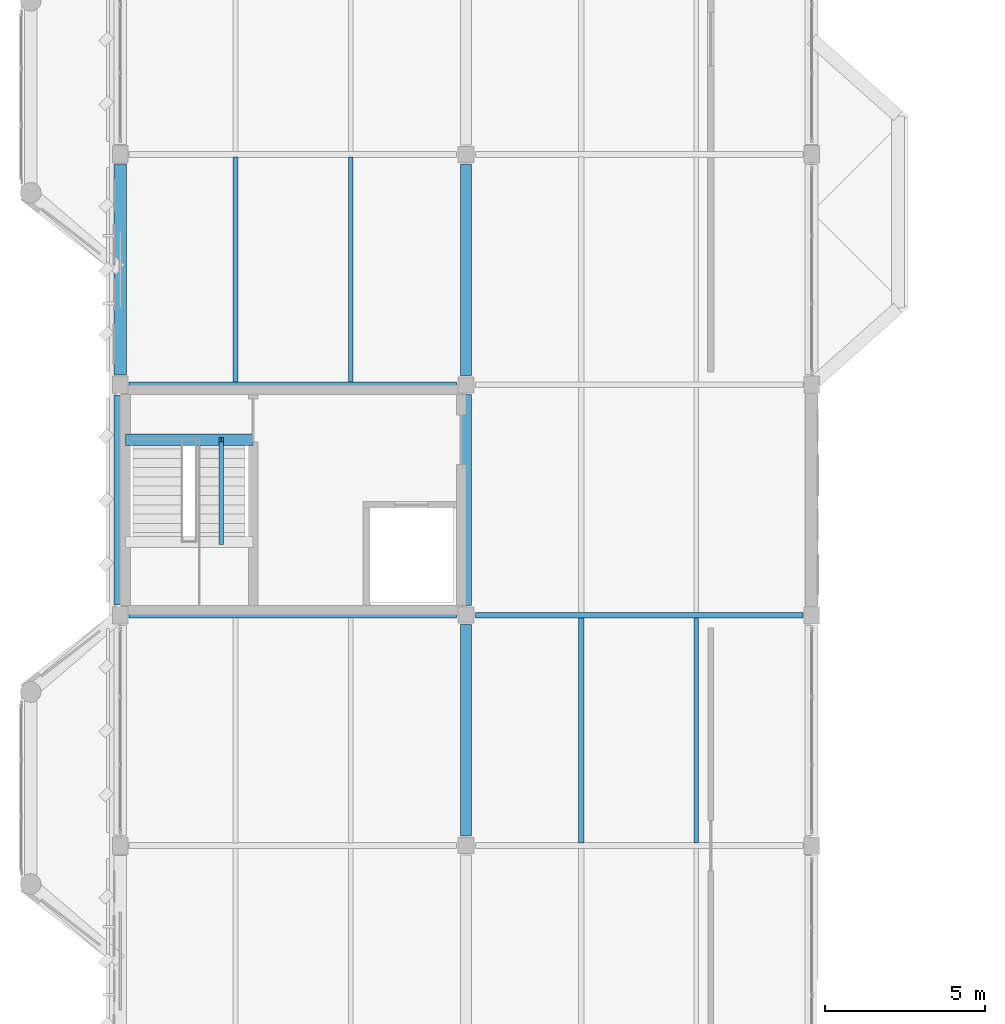
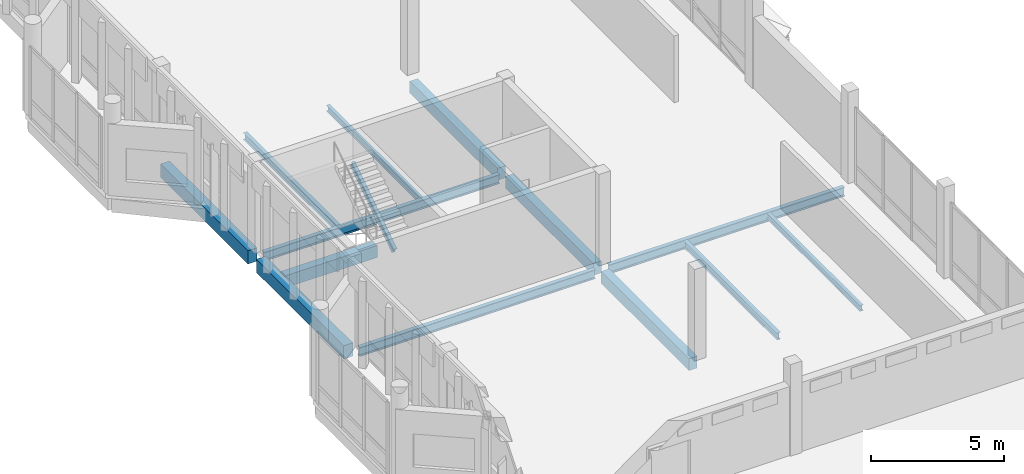
# One storey, part 9 of 72: 14 beams.
"""IFC4 building model written with IfcOpenShell, lengths in metres."""

from ifc_helpers import new_model, si_unit, direction, frame, origin, origin_2d, place, context, subcontext, project, spatial, rectangle, i_section, extrude, material, material_profile, profile_set, type_object, element, save


model = new_model("IFC4")

# Units and contexts
model_context = context("Model", 3, precision=1e-05, world=origin(), true_north=direction((0.0, 1.0)))
body_context = subcontext(model_context, "Body", "Model", "MODEL_VIEW")
ifc_project = project(units=[si_unit("LENGTHUNIT", "METRE"), si_unit("AREAUNIT", "SQUARE_METRE"), si_unit("VOLUMEUNIT", "CUBIC_METRE"), si_unit("PLANEANGLEUNIT", "RADIAN"), si_unit("MASSUNIT", "GRAM", prefix="KILO")], contexts=[model_context])

# Site, building, storey
site_placement = place(None, origin())
site = spatial("IfcSite", under=ifc_project, at=site_placement, CompositionType="ELEMENT")
building_placement = place(site_placement, origin())
building = spatial("IfcBuilding", under=site, at=building_placement, Name="Lusvemor Sports Hall", CompositionType="ELEMENT")
storey_placement = place(building_placement, frame((0.0, 0.0, 15.0)))
storey = spatial("IfcBuildingStorey", under=building, at=storey_placement, Name="L03", CompositionType="ELEMENT", Elevation=15.0)

# Beams
ifc_material_1 = material(Name="Concrete C40/50", Category="concrete")
ifc_material_profile_1 = material_profile(ifc_material_1, rectangle(XDim=0.35009765625, YDim=0.550048828125, at=origin_2d()), Name="RC350x550")
ifc_profile_set_1 = profile_set([ifc_material_profile_1], Name="Concrete C40/50")
beam_type_1 = type_object("IfcBeamType", Name="BEAM_RC_550", PredefinedType="BEAM", material=ifc_profile_set_1)
for number, where, z_axis, x_axis, name in (
    (1, (10.800048828125, 61.49609375, -0.514892578125), (0.0, 1.0, 0.0), (-1.0, 0.0, 0.0), "Beam L03 2:H-J"),
    (2, (10.800048828125, 68.696044921875, -0.514892578125), (0.0, 1.0, 0.0), (-1.0, 0.0, 0.0), "Beam L03 2:J-K"),
    (3, (10.800048828125, 75.89599609375, -0.514892578125), (0.0, 1.0, 0.0), (-1.0, 0.0, 0.0), "Beam L03 2:K-L"),
):
    element("IfcBeam", number, at=place(storey_placement, frame(where, z_axis=z_axis, x_axis=x_axis)), inside=storey, type_object=beam_type_1, Name=name, PredefinedType="BEAM", context=body_context, shape_type="SweptSolid", body=[
        extrude(rectangle(XDim=0.35009765625, YDim=0.550048828125, at=origin_2d()), origin(), (0.0, 0.0, 1.0), 6.60791015625),
    ])
beam_1_placement = place(storey_placement, frame((0.159912109375, 73.8798828125, -0.455078125), z_axis=(1.0, 0.0, 0.0), x_axis=(0.0, 1.0, 0.0)))
element("IfcBeam", 4, at=beam_1_placement, inside=storey, type_object=beam_type_1, Name="Stair STR-C3-L02 Top-Landing Beam", PredefinedType="BEAM", context=body_context, shape_type="SweptSolid", body=[
    extrude(rectangle(XDim=0.35009765625, YDim=0.550048828125, at=origin_2d()), origin(), (0.0, 0.0, 1.0), 3.97998046875),
])
ifc_material_2 = material(Name="Steel S355", Category="steel")
ifc_material_profile_2 = material_profile(ifc_material_2, i_section(OverallWidth=0.180908203125, OverallDepth=0.4169921875, WebThickness=0.010986328125, FlangeThickness=0.018310546875, FilletRadius=0.01611328125, at=origin_2d()), Name="W410x85.0")
ifc_profile_set_2 = profile_set([ifc_material_profile_2], Name="Steel S355")
beam_type_2 = type_object("IfcBeamType", Name="BEAM_ST_410H", PredefinedType="BEAM", material=ifc_profile_set_2)
for number, where, z_axis, x_axis, name in (
    (5, (0.27587890625, 68.39990234375, -0.452392578125), (1.0, 0.0, 0.0), (0.0, 1.0, 0.0), "Beam L03 J:1-2"),
    (6, (11.095947265625, 68.39990234375, -0.452392578125), (1.0, 0.0, 0.0), (0.0, 1.0, 0.0), "Beam L03 J:2-3"),
    (7, (0.27587890625, 75.60009765625, -0.452392578125), (1.0, 0.0, 0.0), (0.0, 1.0, 0.0), "Beam L03 K:1-2"),
):
    element("IfcBeam", number, at=place(storey_placement, frame(where, z_axis=z_axis, x_axis=x_axis)), inside=storey, type_object=beam_type_2, Name=name, PredefinedType="BEAM", context=body_context, shape_type="SweptSolid", body=[
        extrude(i_section(OverallWidth=0.180908203125, OverallDepth=0.4169921875, WebThickness=0.010986328125, FlangeThickness=0.018310546875, FilletRadius=0.01611328125, at=origin_2d()), origin(), (0.0, 0.0, 1.0), 10.22802734375),
    ])
ifc_material_3 = material(Name="Steel S355", Category="steel")
ifc_material_profile_3 = material_profile(ifc_material_3, i_section(OverallWidth=0.14794921875, OverallDepth=0.26611328125, WebThickness=0.007568359375, FlangeThickness=0.012939453125, FilletRadius=0.012939453125, at=origin_2d()), Name="W250x44.8")
ifc_profile_set_3 = profile_set([ifc_material_profile_3], Name="Steel S355")
beam_type_3 = type_object("IfcBeamType", Name="JOIST_ST_250M", PredefinedType="JOIST", material=ifc_profile_set_3)
for number, where, z_axis, x_axis, name in (
    (8, (7.199951171875, 75.6865234375, -0.376953125), (0.0, 1.0, 0.0), (-1.0, 0.0, 0.0), "Secondary Joist L03 1-2/K-L #2"),
    (9, (18.0, 61.28662109375, -0.376953125), (0.0, 1.0, 0.0), (-1.0, 0.0, 0.0), "Secondary Joist L03 2-3/H-J #2"),
):
    element("IfcBeam", number, at=place(storey_placement, frame(where, z_axis=z_axis, x_axis=x_axis)), inside=storey, type_object=beam_type_3, Name=name, PredefinedType="JOIST", context=body_context, shape_type="SweptSolid", body=[
        extrude(i_section(OverallWidth=0.14794921875, OverallDepth=0.26611328125, WebThickness=0.007568359375, FlangeThickness=0.012939453125, FilletRadius=0.012939453125, at=origin_2d()), origin(), (0.0, 0.0, 1.0), 7.02685546875),
    ])
beam_2_placement = place(storey_placement, frame((3.14990234375, 70.68994140625, 1.7548828125), z_axis=(0.0, 0.835242474824, 0.549881812983), x_axis=(-1.0, 0.0, 0.0)))
element("IfcBeam", 10, at=beam_2_placement, inside=storey, type_object=beam_type_3, Name="Stair STR-C3-L03 Flight 2 Stringer Beam", PredefinedType="JOIST", context=body_context, shape_type="SweptSolid", body=[
    extrude(i_section(OverallWidth=0.14794921875, OverallDepth=0.26611328125, WebThickness=0.007568359375, FlangeThickness=0.012939453125, FilletRadius=0.012939453125, at=origin_2d()), origin(), (0.0, 0.0, 1.0), 3.819091796875),
])
ifc_material_4 = material(Name="Steel S355", Category="steel")
ifc_material_profile_4 = material_profile(ifc_material_4, i_section(OverallWidth=0.1669921875, OverallDepth=0.31689453125, WebThickness=0.007568359375, FlangeThickness=0.01318359375, FilletRadius=0.014892578125, at=origin_2d()), Name="W310x52.0")
ifc_profile_set_4 = profile_set([ifc_material_profile_4], Name="Steel S355")
beam_type_4 = type_object("IfcBeamType", Name="JOIST_ST_310M", PredefinedType="JOIST", material=ifc_profile_set_4)
for number, where, z_axis, x_axis, name in (
    (11, (3.60009765625, 75.6865234375, -0.402587890625), (0.0, 1.0, 0.0), (-1.0, 0.0, 0.0), "Secondary Joist L03 1-2/K-L #1"),
    (12, (14.39990234375, 61.28662109375, -0.402587890625), (0.0, 1.0, 0.0), (-1.0, 0.0, 0.0), "Secondary Joist L03 2-3/H-J #1"),
):
    element("IfcBeam", number, at=place(storey_placement, frame(where, z_axis=z_axis, x_axis=x_axis)), inside=storey, type_object=beam_type_4, Name=name, PredefinedType="JOIST", context=body_context, shape_type="SweptSolid", body=[
        extrude(i_section(OverallWidth=0.1669921875, OverallDepth=0.31689453125, WebThickness=0.007568359375, FlangeThickness=0.01318359375, FilletRadius=0.014892578125, at=origin_2d()), origin(), (0.0, 0.0, 1.0), 7.02685546875),
    ])
ifc_material_5 = material(Name="Concrete C40/50", Category="concrete")
ifc_material_profile_5 = material_profile(ifc_material_5, rectangle(XDim=0.39990234375, YDim=0.610107421875, at=origin_2d()), Name="RC400x610")
ifc_profile_set_5 = profile_set([ifc_material_profile_5], Name="Concrete C40/50")
beam_type_5 = type_object("IfcBeamType", Name="SPAND_EXT_650", PredefinedType="SPANDREL", material=ifc_profile_set_5)
for number, where, z_axis, x_axis, name in (
    (13, (0.0, 68.716064453125, -0.544921875), (0.0, 1.0, 0.0), (-1.0, 0.0, 0.0), "Beam L03 1:J-K"),
    (14, (0.0, 75.916015625, -0.544921875), (0.0, 1.0, 0.0), (-1.0, 0.0, 0.0), "Beam L03 1:K-L"),
):
    element("IfcBeam", number, at=place(storey_placement, frame(where, z_axis=z_axis, x_axis=x_axis)), inside=storey, type_object=beam_type_5, Name=name, PredefinedType="SPANDREL", context=body_context, shape_type="SweptSolid", body=[
        extrude(rectangle(XDim=0.39990234375, YDim=0.610107421875, at=origin_2d()), origin(), (0.0, 0.0, 1.0), 6.56787109375),
    ])

save(model, "model.ifc")
